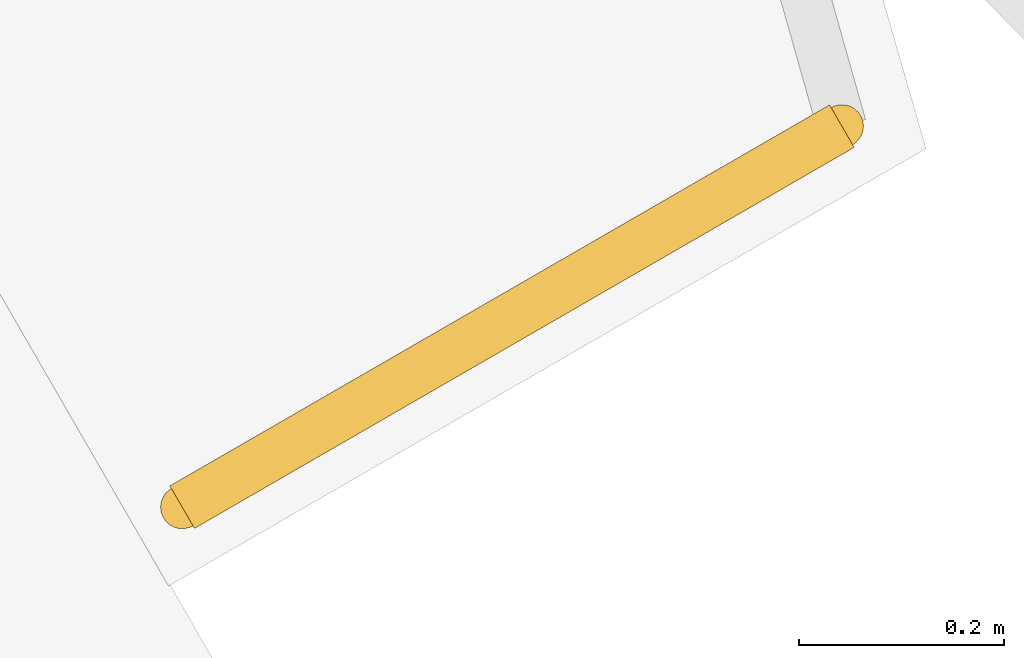
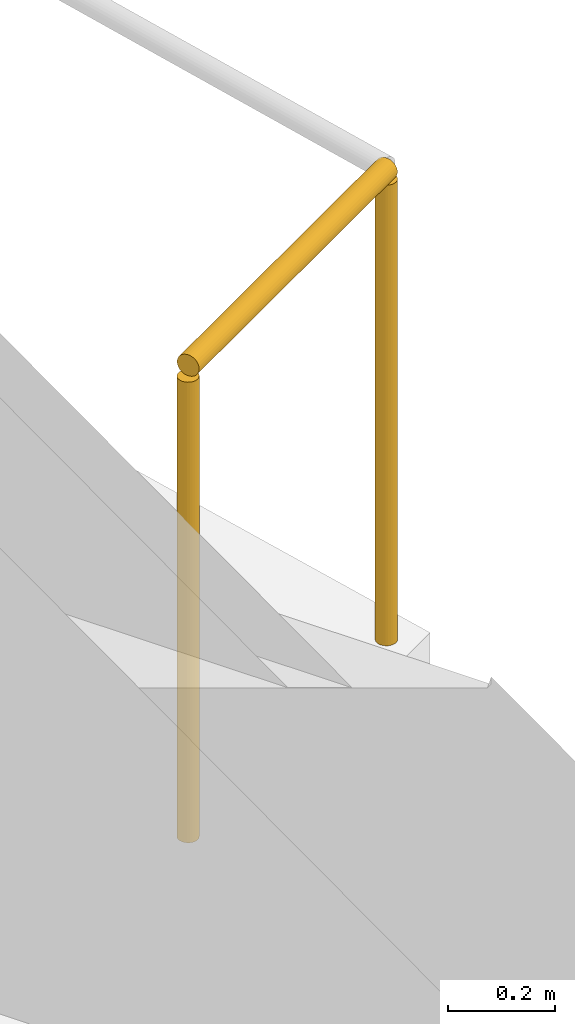
# One storey, part 14 of 14: 1 railing.
"""IFC4 building model written with IfcOpenShell, lengths in metres."""

from ifc_helpers import new_model, si_unit, direction, frame, origin, origin_2d, place, context, subcontext, project, spatial, circle, extrude, material, type_object, element, save


model = new_model("IFC4")

# Units and contexts
model_context = context("Model", 3, precision=1e-05, world=origin(), true_north=direction((0.0, 1.0)))
body_context = subcontext(model_context, "Body", "Model", "MODEL_VIEW")
ifc_project = project(units=[si_unit("LENGTHUNIT", "METRE"), si_unit("AREAUNIT", "SQUARE_METRE"), si_unit("VOLUMEUNIT", "CUBIC_METRE"), si_unit("PLANEANGLEUNIT", "RADIAN"), si_unit("MASSUNIT", "GRAM", prefix="KILO")], contexts=[model_context])

# Site, building, storey
site_placement = place(None, origin())
site = spatial("IfcSite", under=ifc_project, at=site_placement, CompositionType="ELEMENT")
building_placement = place(site_placement, origin())
building = spatial("IfcBuilding", under=site, at=building_placement, Name="Oramaril Tower", CompositionType="ELEMENT")
storey_placement = place(building_placement, frame((0.0, 0.0, 149.39990234375)))
storey = spatial("IfcBuildingStorey", under=building, at=storey_placement, Name="L39", CompositionType="ELEMENT", Elevation=149.39990234375)

# Railing
ifc_material = material(Name="Stainless Steel 316L", Category="steel")
railing_type = type_object("IfcRailingType", Name="RLT-GRD", PredefinedType="GUARDRAIL", material=ifc_material)
railing_placement = place(storey_placement, frame((47.710693359375, 36.40087890625, 0.0)))
element("IfcRailing", 1, at=railing_placement, inside=storey, type_object=railing_type, Name="L39 Balcony Guardrail L39-BAL-NE2.3", PredefinedType="GUARDRAIL", context=body_context, shape_type="SweptSolid", body=[
    extrude(circle(Radius=0.02392578125, at=origin_2d()), frame((0.0, 0.0, 1.076171875), z_axis=(-0.865966403178, -0.500102178127, 0.0), x_axis=(0.500102178127, -0.865966403178, 0.0)), (0.0, 0.0, 1.0), 0.741943359375),
    extrude(circle(Radius=0.02099609375, at=origin_2d()), origin(), (0.0, 0.0, 1.0), 1.052001953125),
    extrude(circle(Radius=0.02099609375, at=origin_2d()), frame((-0.642578125, -0.37109375, 0.0)), (0.0, 0.0, 1.0), 1.052001953125),
])

save(model, "model.ifc")
